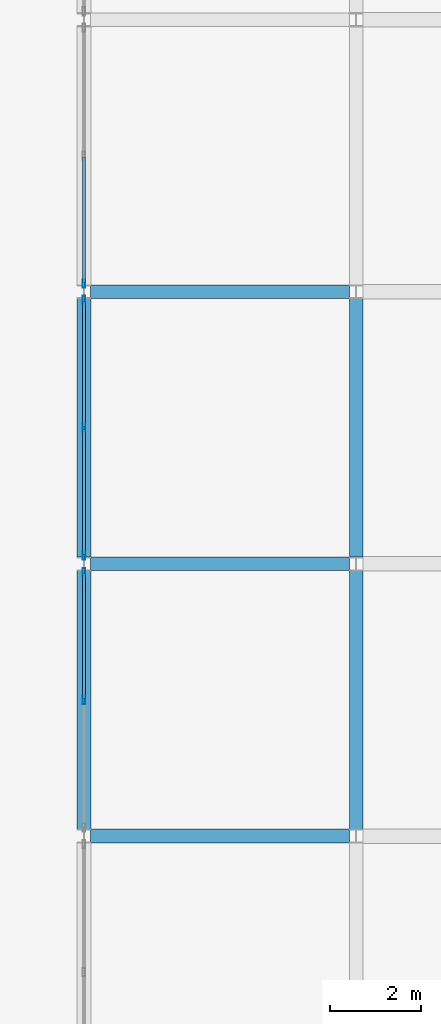
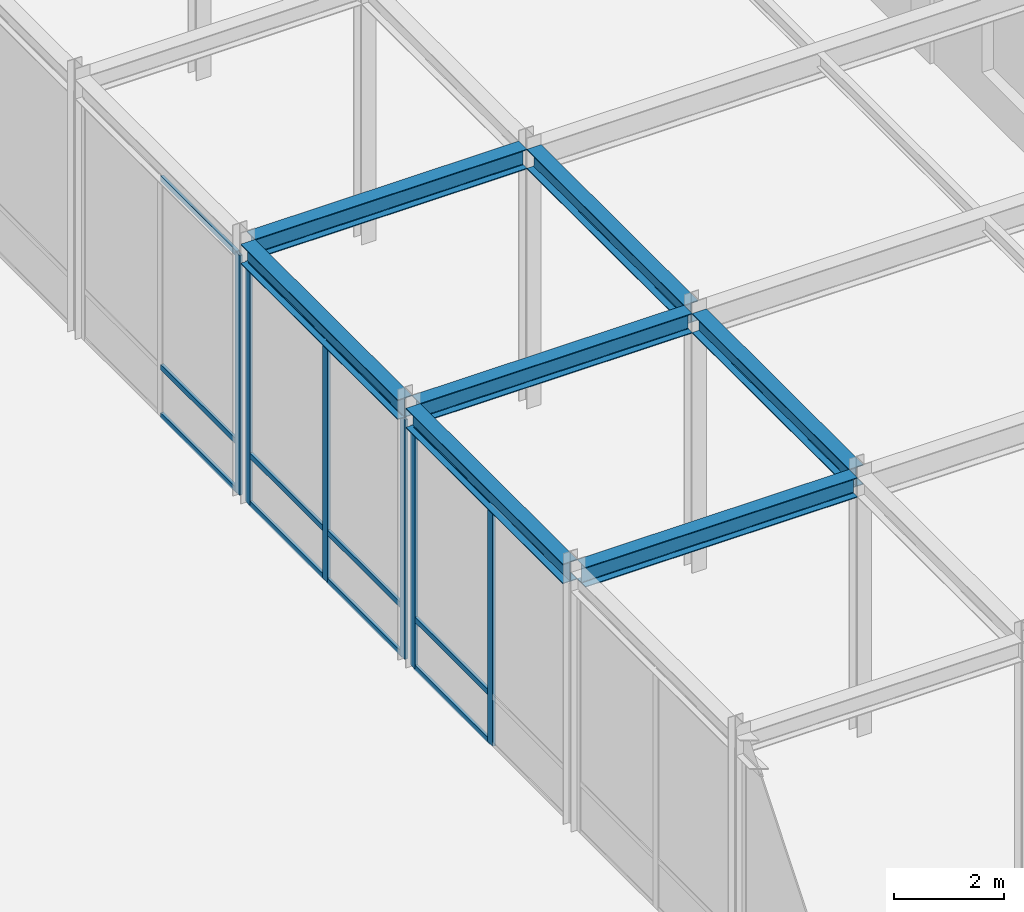
# One storey, part 86 of 108: 18 members, 7 beams, 3 elements without a shape of their own.
"""IFC4 building model written with IfcOpenShell, lengths in metres."""

from ifc_helpers import new_model, si_unit, direction, frame, origin, origin_2d, place, context, subcontext, project, spatial, hollow_rectangle, i_section, extrude, material, layer, layer_set, material_profile, profile_set, type_object, element, aggregate, save


model = new_model("IFC4")

# Units and contexts
model_context = context("Model", 3, precision=1e-05, world=origin(), true_north=direction((0.0, 1.0)))
body_context = subcontext(model_context, "Body", "Model", "MODEL_VIEW")
ifc_project = project(units=[si_unit("LENGTHUNIT", "METRE"), si_unit("AREAUNIT", "SQUARE_METRE"), si_unit("VOLUMEUNIT", "CUBIC_METRE"), si_unit("PLANEANGLEUNIT", "RADIAN"), si_unit("MASSUNIT", "GRAM", prefix="KILO")], contexts=[model_context])

# Site, building, storey
site_placement = place(None, origin())
site = spatial("IfcSite", under=ifc_project, at=site_placement, CompositionType="ELEMENT")
building_placement = place(site_placement, origin())
building = spatial("IfcBuilding", under=site, at=building_placement, Name="Zlatovratsky Civic Hall", CompositionType="ELEMENT")
storey_placement = place(building_placement, frame((0.0, 0.0, 6.0)))
storey = spatial("IfcBuildingStorey", under=building, at=storey_placement, Name="L02", CompositionType="ELEMENT", Elevation=6.0)

# Beams
ifc_material_1 = material(Name="Steel S355", Category="steel")
ifc_material_profile_1 = material_profile(ifc_material_1, i_section(OverallWidth=0.300048828125, OverallDepth=0.43994140625, WebThickness=0.010986328125, FlangeThickness=0.01806640625, FilletRadius=0.02197265625, at=origin_2d()), Name="45Sh1")
ifc_profile_set_1 = profile_set([ifc_material_profile_1], Name="Steel S355")
beam_type = type_object("IfcBeamType", Name="Beam_TowerLow_45Sh1", PredefinedType="BEAM", material=ifc_profile_set_1)
for number, where, z_axis, x_axis, name in (
    (1, (150.14990234375, 42.0, 5.5400390625), (1.0, 0.0, 0.0), (0.0, 1.0, 0.0), "BM-1831"),
    (2, (150.14990234375, 48.0, 5.5400390625), (1.0, 0.0, 0.0), (0.0, 1.0, 0.0), "BM-1847"),
    (3, (150.14990234375, 54.0, 5.5400390625), (1.0, 0.0, 0.0), (0.0, 1.0, 0.0), "BM-1857"),
    (4, (150.0, 42.14990234375, 5.5400390625), (0.0, 1.0, 0.0), (-1.0, 0.0, 0.0), "BM-2343"),
    (5, (150.0, 48.14990234375, 5.5400390625), (0.0, 1.0, 0.0), (-1.0, 0.0, 0.0), "BM-2344"),
    (6, (156.0, 42.14990234375, 5.5400390625), (0.0, 1.0, 0.0), (-1.0, 0.0, 0.0), "BM-2360"),
    (7, (156.0, 48.14990234375, 5.5400390625), (0.0, 1.0, 0.0), (-1.0, 0.0, 0.0), "BM-2361"),
):
    element("IfcBeam", number, at=place(storey_placement, frame(where, z_axis=z_axis, x_axis=x_axis)), inside=storey, type_object=beam_type, Name=name, PredefinedType="BEAM", context=body_context, shape_type="SweptSolid", body=[
        extrude(i_section(OverallWidth=0.300048828125, OverallDepth=0.43994140625, WebThickness=0.010986328125, FlangeThickness=0.01806640625, FilletRadius=0.02197265625, at=origin_2d()), origin(), (0.0, 0.0, 1.0), 5.7001953125),
    ])

# Curtain wall, members
ifc_material_2 = material(Name="Anodised bronze aluminium", Category="aluminium")
ifc_layer = layer(ifc_material_2, 0.159912109375)
ifc_layer_set = layer_set([ifc_layer], Name="Anodised bronze aluminium")
curtain_wall_type = type_object("IfcCurtainWallType", Name="CurtainWall_Bronze_5700x5310_06", PredefinedType="NOTDEFINED", material=ifc_layer_set)
curtain_wall_1_placement = place(storey_placement, origin())
curtain_wall_1 = element("IfcCurtainWall", 8, at=curtain_wall_1_placement, inside=storey, type_object=curtain_wall_type, Name="CW-041", PredefinedType="NOTDEFINED")
ifc_material_profile_2 = material_profile(ifc_material_2, hollow_rectangle(XDim=0.06005859375, YDim=0.179931640625, WallThickness=0.00390625, at=origin_2d()), Name="ALU 60x180x4")
ifc_profile_set_2 = profile_set([ifc_material_profile_2], Name="Anodised bronze aluminium")
member_type_1 = type_object("IfcMemberType", Name="CW_Mullion_60x180", PredefinedType="MULLION", material=ifc_profile_set_2)
member_1_placement = place(storey_placement, frame((150.0, 45.0, 0.0), z_axis=(0.0, 0.0, 1.0), x_axis=(-1.0, 0.0, 0.0)))
member_1 = element("IfcMember", 9, at=member_1_placement, type_object=member_type_1, Name="CW-06 mullion 2", PredefinedType="MULLION", context=body_context, shape_type="SweptSolid", body=[
    extrude(hollow_rectangle(XDim=0.06005859375, YDim=0.179931640625, WallThickness=0.00390625, at=origin_2d()), origin(), (0.0, 0.0, 1.0), 5.31005859375),
])
member_2_placement = place(storey_placement, frame((150.0, 47.820068359375, 0.0), z_axis=(0.0, 0.0, 1.0), x_axis=(-1.0, 0.0, 0.0)))
member_2 = element("IfcMember", 10, at=member_2_placement, type_object=member_type_1, Name="CW-06 mullion 3", PredefinedType="MULLION", context=body_context, shape_type="SweptSolid", body=[
    extrude(hollow_rectangle(XDim=0.06005859375, YDim=0.179931640625, WallThickness=0.00390625, at=origin_2d()), origin(), (0.0, 0.0, 1.0), 5.31005859375),
])

curtain_wall_2_placement = place(storey_placement, origin())
curtain_wall_2 = element("IfcCurtainWall", 11, at=curtain_wall_2_placement, inside=storey, type_object=curtain_wall_type, Name="CW-042", PredefinedType="NOTDEFINED")
member_3_placement = place(storey_placement, frame((150.0, 48.179931640625, 0.0), z_axis=(0.0, 0.0, 1.0), x_axis=(-1.0, 0.0, 0.0)))
member_3 = element("IfcMember", 12, at=member_3_placement, type_object=member_type_1, Name="CW-06 mullion 1", PredefinedType="MULLION", context=body_context, shape_type="SweptSolid", body=[
    extrude(hollow_rectangle(XDim=0.06005859375, YDim=0.179931640625, WallThickness=0.00390625, at=origin_2d()), origin(), (0.0, 0.0, 1.0), 5.31005859375),
])
member_4_placement = place(storey_placement, frame((150.0, 51.0, 0.0), z_axis=(0.0, 0.0, 1.0), x_axis=(-1.0, 0.0, 0.0)))
member_4 = element("IfcMember", 13, at=member_4_placement, type_object=member_type_1, Name="CW-06 mullion 2", PredefinedType="MULLION", context=body_context, shape_type="SweptSolid", body=[
    extrude(hollow_rectangle(XDim=0.06005859375, YDim=0.179931640625, WallThickness=0.00390625, at=origin_2d()), origin(), (0.0, 0.0, 1.0), 5.31005859375),
])
member_5_placement = place(storey_placement, frame((150.0, 53.820068359375, 0.0), z_axis=(0.0, 0.0, 1.0), x_axis=(-1.0, 0.0, 0.0)))
member_5 = element("IfcMember", 14, at=member_5_placement, type_object=member_type_1, Name="CW-06 mullion 3", PredefinedType="MULLION", context=body_context, shape_type="SweptSolid", body=[
    extrude(hollow_rectangle(XDim=0.06005859375, YDim=0.179931640625, WallThickness=0.00390625, at=origin_2d()), origin(), (0.0, 0.0, 1.0), 5.31005859375),
])

# Curtain wall, member
curtain_wall_3_placement = place(storey_placement, origin())
curtain_wall_3 = element("IfcCurtainWall", 15, at=curtain_wall_3_placement, inside=storey, type_object=curtain_wall_type, Name="CW-043", PredefinedType="NOTDEFINED")
member_6_placement = place(storey_placement, frame((150.0, 54.179931640625, 0.0), z_axis=(0.0, 0.0, 1.0), x_axis=(-1.0, 0.0, 0.0)))
member_6 = element("IfcMember", 16, at=member_6_placement, type_object=member_type_1, Name="CW-06 mullion 1", PredefinedType="MULLION", context=body_context, shape_type="SweptSolid", body=[
    extrude(hollow_rectangle(XDim=0.06005859375, YDim=0.179931640625, WallThickness=0.00390625, at=origin_2d()), origin(), (0.0, 0.0, 1.0), 5.31005859375),
])

# Member
ifc_material_profile_3 = material_profile(ifc_material_2, hollow_rectangle(XDim=0.06005859375, YDim=0.1201171875, WallThickness=0.00390625, at=origin_2d()), Name="ALU 60x120x4")
ifc_profile_set_3 = profile_set([ifc_material_profile_3], Name="Anodised bronze aluminium")
member_type_2 = type_object("IfcMemberType", Name="CW_Transom_60x120", PredefinedType="USERDEFINED", material=ifc_profile_set_3)
member_7_placement = place(storey_placement, frame((150.0, 45.030029296875, 0.030029296875), z_axis=(0.0, 1.0, 0.0), x_axis=(-1.0, 0.0, 0.0)))
member_7 = element("IfcMember", 17, at=member_7_placement, type_object=member_type_2, Name="CW-06 transom 2.1", ObjectType="TRANSOM", PredefinedType="USERDEFINED", context=body_context, shape_type="SweptSolid", body=[
    extrude(hollow_rectangle(XDim=0.06005859375, YDim=0.1201171875, WallThickness=0.00390625, at=origin_2d()), origin(), (0.0, 0.0, 1.0), 2.760009765625),
])

member_8_placement = place(storey_placement, frame((150.0, 45.030029296875, 1.10009765625), z_axis=(0.0, 1.0, 0.0), x_axis=(-1.0, 0.0, 0.0)))
member_8 = element("IfcMember", 18, at=member_8_placement, type_object=member_type_2, Name="CW-06 transom 2.2", ObjectType="TRANSOM", PredefinedType="USERDEFINED", context=body_context, shape_type="SweptSolid", body=[
    extrude(hollow_rectangle(XDim=0.06005859375, YDim=0.1201171875, WallThickness=0.00390625, at=origin_2d()), origin(), (0.0, 0.0, 1.0), 2.760009765625),
])

member_9_placement = place(storey_placement, frame((150.0, 45.030029296875, 5.280029296875), z_axis=(0.0, 1.0, 0.0), x_axis=(-1.0, 0.0, 0.0)))
member_9 = element("IfcMember", 19, at=member_9_placement, type_object=member_type_2, Name="CW-06 transom 2.3", ObjectType="TRANSOM", PredefinedType="USERDEFINED", context=body_context, shape_type="SweptSolid", body=[
    extrude(hollow_rectangle(XDim=0.06005859375, YDim=0.1201171875, WallThickness=0.00390625, at=origin_2d()), origin(), (0.0, 0.0, 1.0), 2.760009765625),
])

aggregate(curtain_wall_1, [member_1, member_2, member_7, member_8, member_9])

member_10_placement = place(storey_placement, frame((150.0, 48.2099609375, 0.030029296875), z_axis=(0.0, 1.0, 0.0), x_axis=(-1.0, 0.0, 0.0)))
member_10 = element("IfcMember", 20, at=member_10_placement, type_object=member_type_2, Name="CW-06 transom 1.1", ObjectType="TRANSOM", PredefinedType="USERDEFINED", context=body_context, shape_type="SweptSolid", body=[
    extrude(hollow_rectangle(XDim=0.06005859375, YDim=0.1201171875, WallThickness=0.00390625, at=origin_2d()), origin(), (0.0, 0.0, 1.0), 2.760009765625),
])

member_11_placement = place(storey_placement, frame((150.0, 48.2099609375, 1.10009765625), z_axis=(0.0, 1.0, 0.0), x_axis=(-1.0, 0.0, 0.0)))
member_11 = element("IfcMember", 21, at=member_11_placement, type_object=member_type_2, Name="CW-06 transom 1.2", ObjectType="TRANSOM", PredefinedType="USERDEFINED", context=body_context, shape_type="SweptSolid", body=[
    extrude(hollow_rectangle(XDim=0.06005859375, YDim=0.1201171875, WallThickness=0.00390625, at=origin_2d()), origin(), (0.0, 0.0, 1.0), 2.760009765625),
])

member_12_placement = place(storey_placement, frame((150.0, 48.2099609375, 5.280029296875), z_axis=(0.0, 1.0, 0.0), x_axis=(-1.0, 0.0, 0.0)))
member_12 = element("IfcMember", 22, at=member_12_placement, type_object=member_type_2, Name="CW-06 transom 1.3", ObjectType="TRANSOM", PredefinedType="USERDEFINED", context=body_context, shape_type="SweptSolid", body=[
    extrude(hollow_rectangle(XDim=0.06005859375, YDim=0.1201171875, WallThickness=0.00390625, at=origin_2d()), origin(), (0.0, 0.0, 1.0), 2.760009765625),
])

member_13_placement = place(storey_placement, frame((150.0, 51.030029296875, 0.030029296875), z_axis=(0.0, 1.0, 0.0), x_axis=(-1.0, 0.0, 0.0)))
member_13 = element("IfcMember", 23, at=member_13_placement, type_object=member_type_2, Name="CW-06 transom 2.1", ObjectType="TRANSOM", PredefinedType="USERDEFINED", context=body_context, shape_type="SweptSolid", body=[
    extrude(hollow_rectangle(XDim=0.06005859375, YDim=0.1201171875, WallThickness=0.00390625, at=origin_2d()), origin(), (0.0, 0.0, 1.0), 2.760009765625),
])

member_14_placement = place(storey_placement, frame((150.0, 51.030029296875, 1.10009765625), z_axis=(0.0, 1.0, 0.0), x_axis=(-1.0, 0.0, 0.0)))
member_14 = element("IfcMember", 24, at=member_14_placement, type_object=member_type_2, Name="CW-06 transom 2.2", ObjectType="TRANSOM", PredefinedType="USERDEFINED", context=body_context, shape_type="SweptSolid", body=[
    extrude(hollow_rectangle(XDim=0.06005859375, YDim=0.1201171875, WallThickness=0.00390625, at=origin_2d()), origin(), (0.0, 0.0, 1.0), 2.760009765625),
])

member_15_placement = place(storey_placement, frame((150.0, 51.030029296875, 5.280029296875), z_axis=(0.0, 1.0, 0.0), x_axis=(-1.0, 0.0, 0.0)))
member_15 = element("IfcMember", 25, at=member_15_placement, type_object=member_type_2, Name="CW-06 transom 2.3", ObjectType="TRANSOM", PredefinedType="USERDEFINED", context=body_context, shape_type="SweptSolid", body=[
    extrude(hollow_rectangle(XDim=0.06005859375, YDim=0.1201171875, WallThickness=0.00390625, at=origin_2d()), origin(), (0.0, 0.0, 1.0), 2.760009765625),
])

aggregate(curtain_wall_2, [member_3, member_4, member_5, member_10, member_11, member_12, member_13, member_14, member_15])

member_16_placement = place(storey_placement, frame((150.0, 54.2099609375, 0.030029296875), z_axis=(0.0, 1.0, 0.0), x_axis=(-1.0, 0.0, 0.0)))
member_16 = element("IfcMember", 26, at=member_16_placement, type_object=member_type_2, Name="CW-06 transom 1.1", ObjectType="TRANSOM", PredefinedType="USERDEFINED", context=body_context, shape_type="SweptSolid", body=[
    extrude(hollow_rectangle(XDim=0.06005859375, YDim=0.1201171875, WallThickness=0.00390625, at=origin_2d()), origin(), (0.0, 0.0, 1.0), 2.760009765625),
])

member_17_placement = place(storey_placement, frame((150.0, 54.2099609375, 1.10009765625), z_axis=(0.0, 1.0, 0.0), x_axis=(-1.0, 0.0, 0.0)))
member_17 = element("IfcMember", 27, at=member_17_placement, type_object=member_type_2, Name="CW-06 transom 1.2", ObjectType="TRANSOM", PredefinedType="USERDEFINED", context=body_context, shape_type="SweptSolid", body=[
    extrude(hollow_rectangle(XDim=0.06005859375, YDim=0.1201171875, WallThickness=0.00390625, at=origin_2d()), origin(), (0.0, 0.0, 1.0), 2.760009765625),
])

member_18_placement = place(storey_placement, frame((150.0, 54.2099609375, 5.280029296875), z_axis=(0.0, 1.0, 0.0), x_axis=(-1.0, 0.0, 0.0)))
member_18 = element("IfcMember", 28, at=member_18_placement, type_object=member_type_2, Name="CW-06 transom 1.3", ObjectType="TRANSOM", PredefinedType="USERDEFINED", context=body_context, shape_type="SweptSolid", body=[
    extrude(hollow_rectangle(XDim=0.06005859375, YDim=0.1201171875, WallThickness=0.00390625, at=origin_2d()), origin(), (0.0, 0.0, 1.0), 2.760009765625),
])

aggregate(curtain_wall_3, [member_6, member_16, member_17, member_18])

save(model, "model.ifc")
